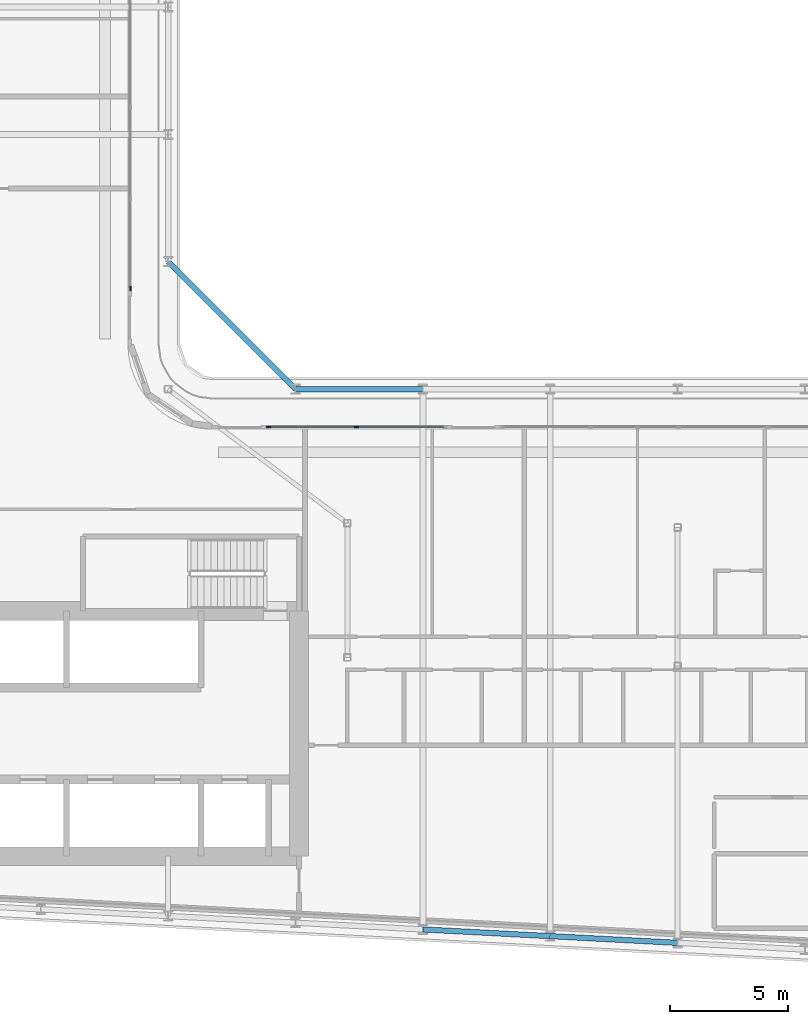
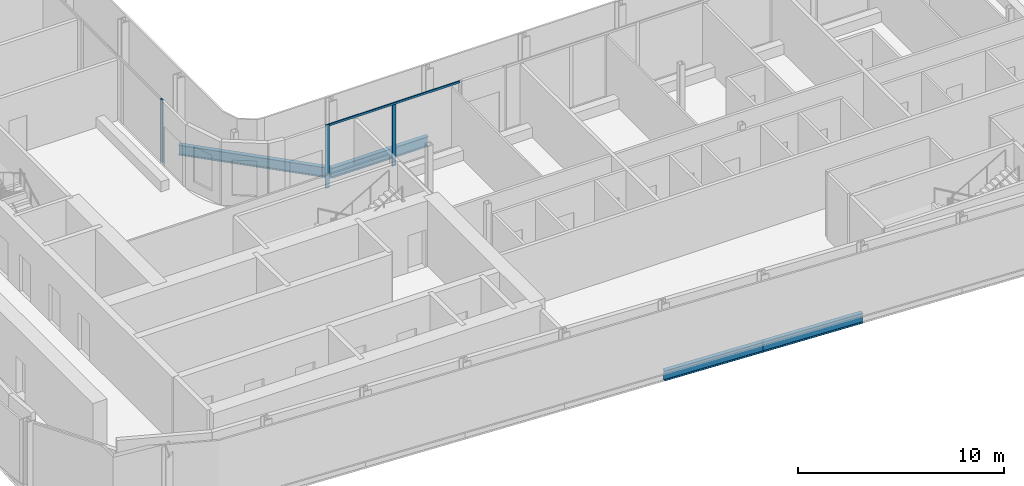
# One storey, part 4 of 26: 4 beams, 4 members, 2 elements without a shape of their own.
"""IFC4 building model written with IfcOpenShell, lengths in metres."""

from ifc_helpers import new_model, si_unit, direction, frame, origin, origin_2d, place, context, subcontext, project, spatial, rectangle, i_section, extrude, material, layer, layer_set, material_profile, profile_set, type_object, element, aggregate, save


model = new_model("IFC4")

# Units and contexts
model_context = context("Model", 3, precision=1e-05, world=origin(), true_north=direction((0.0, 1.0)))
body_context = subcontext(model_context, "Body", "Model", "MODEL_VIEW")
ifc_project = project(units=[si_unit("LENGTHUNIT", "METRE"), si_unit("AREAUNIT", "SQUARE_METRE"), si_unit("VOLUMEUNIT", "CUBIC_METRE"), si_unit("PLANEANGLEUNIT", "RADIAN"), si_unit("MASSUNIT", "GRAM", prefix="KILO")], contexts=[model_context])

# Site, building, storey
site_placement = place(None, origin())
site = spatial("IfcSite", under=ifc_project, at=site_placement, CompositionType="ELEMENT")
building_placement = place(site_placement, origin())
building = spatial("IfcBuilding", under=site, at=building_placement, Name="Kheshtan School and Residences Tower", CompositionType="ELEMENT")
storey_placement = place(building_placement, frame((0.0, 0.0, 156.5)))
storey = spatial("IfcBuildingStorey", under=building, at=storey_placement, Name="L36", CompositionType="ELEMENT", Elevation=156.5)

# Beams
ifc_material_1 = material(Name="Steel ASTM A992 Grade 50", Category="steel")
ifc_material_profile_1 = material_profile(ifc_material_1, i_section(OverallWidth=0.22802734375, OverallDepth=0.60302734375, WebThickness=0.010498046875, FlangeThickness=0.014892578125, FilletRadius=0.013427734375, at=origin_2d()), Name="W610x101")
ifc_profile_set_1 = profile_set([ifc_material_profile_1], Name="Steel ASTM A992 Grade 50")
beam_type = type_object("IfcBeamType", Name="Beam SP2 W610x101 ASTM A992 Grade 50", PredefinedType="BEAM", material=ifc_profile_set_1)
beam_1_placement = place(storey_placement, frame((47.60009765625, 51.0, -0.451416015625), z_axis=(0.707106781187, -0.707106781187, 0.0), x_axis=(0.707106781187, 0.707106781187, 0.0)))
element("IfcBeam", 1, at=beam_1_placement, inside=storey, type_object=beam_type, Name="Spandrel beam C079-C061", PredefinedType="BEAM", context=body_context, shape_type="SweptSolid", body=[
    extrude(i_section(OverallWidth=0.22802734375, OverallDepth=0.60302734375, WebThickness=0.010498046875, FlangeThickness=0.014892578125, FilletRadius=0.013427734375, at=origin_2d()), origin(), (0.0, 0.0, 1.0), 7.63671875),
])
beam_2_placement = place(storey_placement, frame((53.0, 45.60009765625, -0.451416015625), z_axis=(1.0, 0.0, 0.0), x_axis=(0.0, 1.0, 0.0)))
element("IfcBeam", 2, at=beam_2_placement, inside=storey, type_object=beam_type, Name="Spandrel beam C061-C062", PredefinedType="BEAM", context=body_context, shape_type="SweptSolid", body=[
    extrude(i_section(OverallWidth=0.22802734375, OverallDepth=0.60302734375, WebThickness=0.010498046875, FlangeThickness=0.014892578125, FilletRadius=0.013427734375, at=origin_2d()), origin(), (0.0, 0.0, 1.0), 5.39990234375),
])
beam_3_placement = place(storey_placement, frame((69.199951171875, 22.126953125, -0.451416015625), z_axis=(-0.998620447272, 0.05250906864, 0.0), x_axis=(-0.05250906864, -0.998620447272, 0.0)))
element("IfcBeam", 3, at=beam_3_placement, inside=storey, type_object=beam_type, Name="Spandrel beam C014-C016", PredefinedType="BEAM", context=body_context, shape_type="SweptSolid", body=[
    extrude(i_section(OverallWidth=0.22802734375, OverallDepth=0.60302734375, WebThickness=0.010498046875, FlangeThickness=0.014892578125, FilletRadius=0.013427734375, at=origin_2d()), origin(), (0.0, 0.0, 1.0), 5.407470703125),
])
beam_4_placement = place(storey_placement, frame((63.800048828125, 22.410888671875, -0.451416015625), z_axis=(-0.998618203458, 0.052551724256, 0.0), x_axis=(-0.052551724256, -0.998618203458, 0.0)))
element("IfcBeam", 4, at=beam_4_placement, inside=storey, type_object=beam_type, Name="Spandrel beam C016-C018", PredefinedType="BEAM", context=body_context, shape_type="SweptSolid", body=[
    extrude(i_section(OverallWidth=0.22802734375, OverallDepth=0.60302734375, WebThickness=0.010498046875, FlangeThickness=0.014892578125, FilletRadius=0.013427734375, at=origin_2d()), origin(), (0.0, 0.0, 1.0), 5.40771484375),
])

# Curtain wall, member
ifc_material_2 = material(Name="Clear low-e glass in thermally broken aluminium frame", Category="aluminium")
ifc_layer = layer(ifc_material_2, 0.199951171875)
ifc_layer_set = layer_set([ifc_layer], Name="Curtain wall CW-L")
curtain_wall_type = type_object("IfcCurtainWallType", Name="Curtain wall CW-L", PredefinedType="NOTDEFINED", material=ifc_layer_set)
curtain_wall_1_placement = place(storey_placement, origin())
curtain_wall_1 = element("IfcCurtainWall", 5, at=curtain_wall_1_placement, inside=storey, type_object=curtain_wall_type, Name="Curtain wall CWL8", PredefinedType="NOTDEFINED")
ifc_material_3 = material(Name="Thermally broken aluminium, dark bronze anodised", Category="aluminium")
ifc_material_profile_2 = material_profile(ifc_material_3, rectangle(XDim=0.06005859375, YDim=0.199951171875, at=origin_2d()), Name="CW-L mullion 60x200")
ifc_profile_set_2 = profile_set([ifc_material_profile_2], Name="Thermally broken aluminium, dark bronze anodised")
member_type_1 = type_object("IfcMemberType", Name="CW-L mullion 60x200", PredefinedType="MULLION", material=ifc_profile_set_2)
member_1_placement = place(storey_placement, frame((46.0, 49.860107421875, 0.0), z_axis=(0.0, 0.0, 1.0), x_axis=(1.0, 0.0, 0.0)))
member_1 = element("IfcMember", 6, at=member_1_placement, type_object=member_type_1, Name="CWL8 mullion 3", PredefinedType="MULLION", context=body_context, shape_type="SweptSolid", body=[
    extrude(rectangle(XDim=0.06005859375, YDim=0.199951171875, at=origin_2d()), origin(), (0.0, 0.0, 1.0), 3.75),
])
aggregate(curtain_wall_1, [member_1])

# Curtain wall, members
curtain_wall_2_placement = place(storey_placement, origin())
curtain_wall_2 = element("IfcCurtainWall", 7, at=curtain_wall_2_placement, inside=storey, type_object=curtain_wall_type, Name="Curtain wall CWL12a", PredefinedType="NOTDEFINED")
member_2_placement = place(storey_placement, frame((51.860107421875, 44.0, 0.0), z_axis=(0.0, 0.0, 1.0), x_axis=(0.0, 1.0, 0.0)))
member_2 = element("IfcMember", 8, at=member_2_placement, type_object=member_type_1, Name="CWL12a mullion 1", PredefinedType="MULLION", context=body_context, shape_type="SweptSolid", body=[
    extrude(rectangle(XDim=0.06005859375, YDim=0.199951171875, at=origin_2d()), origin(), (0.0, 0.0, 1.0), 3.75),
])
member_3_placement = place(storey_placement, frame((55.5888671875, 44.0, 0.0), z_axis=(0.0, 0.0, 1.0), x_axis=(0.0, 1.0, 0.0)))
member_3 = element("IfcMember", 9, at=member_3_placement, type_object=member_type_1, Name="CWL12a mullion 2", PredefinedType="MULLION", context=body_context, shape_type="SweptSolid", body=[
    extrude(rectangle(XDim=0.06005859375, YDim=0.199951171875, at=origin_2d()), origin(), (0.0, 0.0, 1.0), 3.6298828125),
])
ifc_material_profile_3 = material_profile(ifc_material_3, rectangle(XDim=0.06005859375, YDim=0.1201171875, at=origin_2d()), Name="CW-L transom 60x120")
ifc_profile_set_3 = profile_set([ifc_material_profile_3], Name="Thermally broken aluminium, dark bronze anodised")
member_type_2 = type_object("IfcMemberType", Name="CW-L transom 60x120", PredefinedType="USERDEFINED", material=ifc_profile_set_3)
member_4_placement = place(storey_placement, frame((51.889892578125, 44.0, 3.68994140625), z_axis=(1.0, 0.0, 0.0), x_axis=(0.0, 1.0, 0.0)))
member_4 = element("IfcMember", 10, at=member_4_placement, type_object=member_type_2, Name="CWL12a transom 1", ObjectType="TRANSOM", PredefinedType="USERDEFINED", context=body_context, shape_type="SweptSolid", body=[
    extrude(rectangle(XDim=0.06005859375, YDim=0.1201171875, at=origin_2d()), origin(), (0.0, 0.0, 1.0), 7.397705078125),
])
aggregate(curtain_wall_2, [member_2, member_3, member_4])

save(model, "model.ifc")
